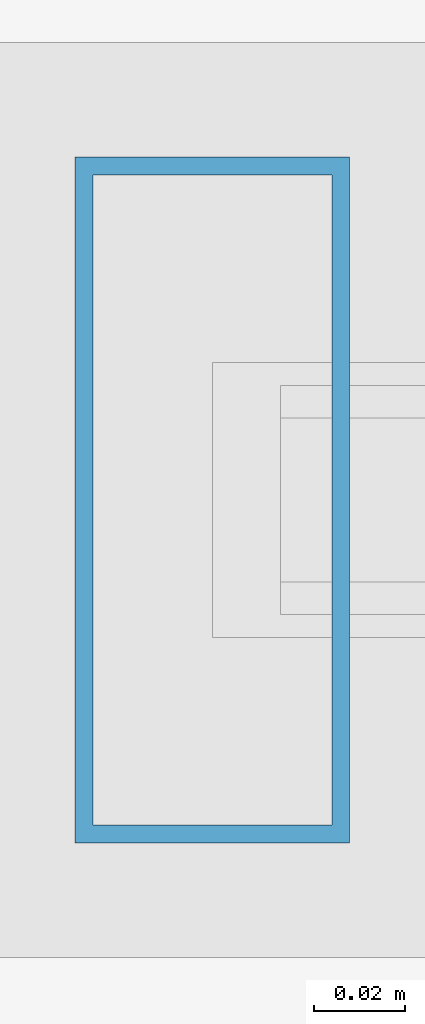
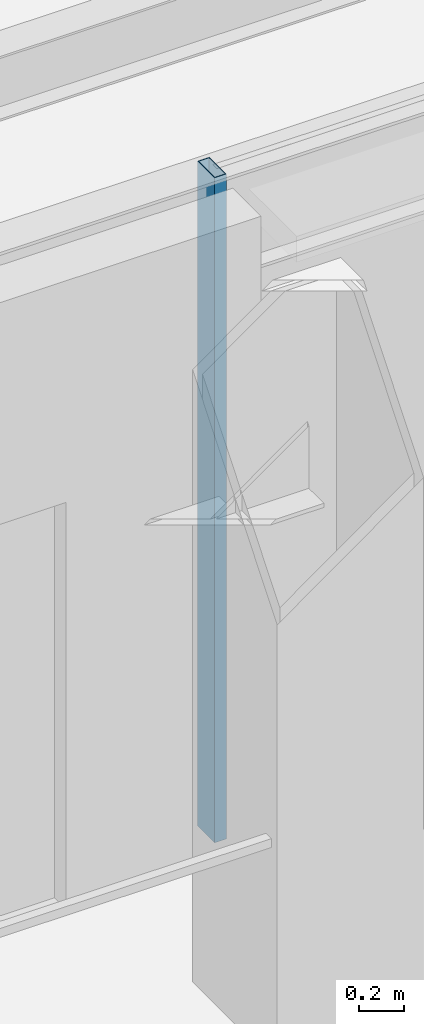
# One storey, part 5 of 26: 1 member, 1 element without a shape of its own.
"""IFC4 building model written with IfcOpenShell, lengths in metres."""

import ifcopenshell
import ifcopenshell.guid

model = None  # the IFC model being written
_history = None  # IfcOwnerHistory: only IFC2X3 demands one
_inside = {}  # id of a spatial element -> (the spatial element, [elements in it])
_under = {}  # id of a project, library or spatial element -> (it, [spatial elements below it])
_declared = {}  # id of a project -> (the project, [libraries it declares])
_typed = {}  # id of a type object -> (the type object, [elements of that type])
_made_of = {}  # id of a material, layer set ... -> (it, [elements and type objects made of it])


def new_model(schema):
    """Start an empty IFC model of exactly this schema.

    Asked for "IFC4X3", IfcOpenShell would pick the latest addendum, in which some entities
    have other attributes; the version numbers below select the first issue.
    IFC2X3 requires an IfcOwnerHistory on every rooted entity: one is made here for all.
    """
    global model, _history
    if schema == "IFC4X3":
        model = ifcopenshell.file(schema_version=(4, 3, 0, 0))
    else:
        model = ifcopenshell.file(schema=schema)
    _inside.clear()
    _under.clear()
    _declared.clear()
    _typed.clear()
    _made_of.clear()
    _history = None
    if model.schema == "IFC2X3":
        org = make("IfcOrganization", Name="unknown")
        user = make(
            "IfcPersonAndOrganization",
            ThePerson=make("IfcPerson", FamilyName="unknown"),
            TheOrganization=org,
        )
        app = make(
            "IfcApplication",
            ApplicationDeveloper=org,
            Version="unknown",
            ApplicationFullName="unknown",
            ApplicationIdentifier="unknown",
        )
        _history = make(
            "IfcOwnerHistory",
            OwningUser=user,
            OwningApplication=app,
            ChangeAction="ADDED",
            CreationDate=0,
        )
    return model


def make(cls, **values):
    """One entity of the class cls with the attributes given. An attribute that is None is left unset."""
    return model.create_entity(
        cls, **{name: value for name, value in values.items() if value is not None}
    )


def rooted(cls, **values):
    """An entity with a GlobalId (a new one), such as an element, a storey or a relation."""
    return make(cls, GlobalId=ifcopenshell.guid.new(), OwnerHistory=_history, **values)


def si_unit(unit_type, name, prefix=None):
    """IfcSIUnit, for example si_unit("LENGTHUNIT", "METRE", prefix="MILLI")."""
    return make("IfcSIUnit", UnitType=unit_type, Prefix=prefix, Name=name)


def assignment(units):
    """IfcUnitAssignment: the units of a project."""
    return None if units is None else make("IfcUnitAssignment", Units=units)


def point(xyz):
    """IfcCartesianPoint."""
    return None if xyz is None else make("IfcCartesianPoint", Coordinates=xyz)


def direction(xyz):
    """IfcDirection."""
    return None if xyz is None else make("IfcDirection", DirectionRatios=xyz)


def frame(location, z_axis=None, x_axis=None):
    """IfcAxis2Placement3D, a coordinate frame: its origin and axes. An axis left out is left unset."""
    return make(
        "IfcAxis2Placement3D",
        Location=point(location),
        Axis=direction(z_axis),
        RefDirection=direction(x_axis),
    )


def frame_2d(location, x_axis=None):
    """IfcAxis2Placement2D, a coordinate frame in the plane: its origin and x axis."""
    return make(
        "IfcAxis2Placement2D", Location=point(location), RefDirection=direction(x_axis)
    )


def origin():
    """The frame at (0, 0, 0) with its axes left unset."""
    return frame((0.0, 0.0, 0.0))


def origin_2d():
    """The frame at (0, 0) in the plane with its x axis left unset."""
    return frame_2d((0.0, 0.0))


def place(relative_to, where):
    """IfcLocalPlacement: puts the frame where relative to a parent placement (None: the world)."""
    return make(
        "IfcLocalPlacement", PlacementRelTo=relative_to, RelativePlacement=where
    )


def context(
    kind, dimensions, precision=None, world=None, true_north=None, identifier=None
):
    """IfcGeometricRepresentationContext, for example the 3D "Model" context."""
    return make(
        "IfcGeometricRepresentationContext",
        ContextIdentifier=identifier,
        ContextType=kind,
        CoordinateSpaceDimension=dimensions,
        Precision=precision,
        WorldCoordinateSystem=world,
        TrueNorth=true_north,
    )


def subcontext(parent, identifier, kind, view, scale=None):
    """IfcGeometricRepresentationSubContext, for example "Body" below "Model"."""
    return make(
        "IfcGeometricRepresentationSubContext",
        ContextIdentifier=identifier,
        ContextType=kind,
        ParentContext=parent,
        TargetScale=scale,
        TargetView=view,
    )


def project(units=None, contexts=None):
    """IfcProject with its units and contexts."""
    return rooted(
        "IfcProject",
        Name="project",
        RepresentationContexts=contexts,
        UnitsInContext=assignment(units),
    )


def spatial(cls, under=None, at=None, **own):
    """A site, building, storey or space (cls), placed at a placement, below another one or the project."""
    s = rooted(cls, ObjectPlacement=at, **own)
    if under is not None:
        _under.setdefault(under.id(), (under, []))[1].append(s)
    return s


def profile(cls, at=None, kind="AREA", **sizes):
    """A parametric profile (cls). Its sizes go by their IFC names, for example OverallWidth=200.0."""
    return make(cls, ProfileType=kind, Position=at, **sizes)


def hollow_rectangle(**sizes):
    """IfcRectangleHollowProfileDef."""
    return profile("IfcRectangleHollowProfileDef", **sizes)


def extrude(swept, where, along, depth):
    """IfcExtrudedAreaSolid: the profile swept, set in the frame where, extruded along a direction by depth."""
    return make(
        "IfcExtrudedAreaSolid",
        SweptArea=swept,
        Position=where,
        ExtrudedDirection=direction(along),
        Depth=depth,
    )


def shape(context_of_items, identifier, shape_type, items):
    """IfcShapeRepresentation: the items that make up one representation, for example the "Body"."""
    return make(
        "IfcShapeRepresentation",
        ContextOfItems=context_of_items,
        RepresentationIdentifier=identifier,
        RepresentationType=shape_type,
        Items=items,
    )


def material(Name=None, Category=None):
    """IfcMaterial."""
    return make("IfcMaterial", Name=Name, Category=Category)


def layer(
    of_material, thickness, ventilated=None, Name=None, Category=None, Priority=None
):
    """IfcMaterialLayer: one layer of a wall or slab, of a material (None: an air gap)."""
    return make(
        "IfcMaterialLayer",
        Material=of_material,
        LayerThickness=thickness,
        IsVentilated=ventilated,
        Name=Name,
        Category=Category,
        Priority=Priority,
    )


def layer_set(layers, Name=None):
    """IfcMaterialLayerSet."""
    return make("IfcMaterialLayerSet", MaterialLayers=layers, LayerSetName=Name)


def material_profile(
    of_material, cross_section, Name=None, Category=None, Priority=None
):
    """IfcMaterialProfile: a cross section and its material."""
    return make(
        "IfcMaterialProfile",
        Name=Name,
        Material=of_material,
        Profile=cross_section,
        Priority=Priority,
        Category=Category,
    )


def profile_set(profiles, Name=None, composite=None):
    """IfcMaterialProfileSet."""
    return make(
        "IfcMaterialProfileSet",
        Name=Name,
        MaterialProfiles=profiles,
        CompositeProfile=composite,
    )


def made_of(thing, what):
    """Note that an element or type object is made of a material, layer set ...; save() writes the relation."""
    if what is not None:
        _made_of.setdefault(what.id(), (what, []))[1].append(thing)
    return thing


def type_object(cls, material=None, **own):
    """A type object (cls), such as IfcWallType, which elements share."""
    return made_of(rooted(cls, **own), material)


def element(
    cls,
    number,
    at=None,
    inside=None,
    cuts=None,
    type_object=None,
    material=None,
    context=None,
    identifier="Body",
    shape_type=None,
    held_by="IfcProductDefinitionShape",
    body=None,
    shapes=None,
    **own,
):
    """One element of the class cls, such as IfcWall. Its Tag is "e" and its number.

    at: its placement. inside: the storey or other place that contains it. cuts: it is an
    opening in that element (IfcRelVoidsElement). A single representation is given by context,
    identifier, shape_type and body (its items); several are given by shapes. held_by: the class
    of the entity that holds the representations. save() writes the other relations.
    """
    e = rooted(cls, Tag="e%d" % number, ObjectPlacement=at, **own)
    if body is not None:
        shapes = [shape(context, identifier, shape_type, body)]
    if shapes is not None:
        e.Representation = make(held_by, Representations=shapes)
    if inside is not None:
        _inside.setdefault(inside.id(), (inside, []))[1].append(e)
    if cuts is not None:
        rooted(
            "IfcRelVoidsElement", RelatingBuildingElement=cuts, RelatedOpeningElement=e
        )
    if type_object is not None:
        _typed.setdefault(type_object.id(), (type_object, []))[1].append(e)
    return made_of(e, material)


def aggregate(whole, parts):
    """IfcRelAggregates: a whole, such as a stair, and the parts it consists of."""
    return rooted("IfcRelAggregates", RelatingObject=whole, RelatedObjects=parts)


def save(model, path):
    """Write the relations noted so far, then the file.

    IfcRelAggregates (storeys below a building ...), IfcRelContainedInSpatialStructure (elements
    in a storey), IfcRelDefinesByType, IfcRelAssociatesMaterial and IfcRelDeclares: one each for
    every whole, place, type object, material and project.
    """
    for whole, parts in _under.values():
        aggregate(whole, parts)
    for where, things in _inside.values():
        rooted(
            "IfcRelContainedInSpatialStructure",
            RelatedElements=things,
            RelatingStructure=where,
        )
    for kind, things in _typed.values():
        rooted("IfcRelDefinesByType", RelatedObjects=things, RelatingType=kind)
    for what, things in _made_of.values():
        rooted("IfcRelAssociatesMaterial", RelatedObjects=things, RelatingMaterial=what)
    for by, libraries in _declared.values():
        rooted("IfcRelDeclares", RelatingContext=by, RelatedDefinitions=libraries)
    model.write(path)


model = new_model("IFC4")

# Units and contexts
model_context = context("Model", 3, precision=1e-05, world=origin(), true_north=direction((0.0, 1.0)))
body_context = subcontext(model_context, "Body", "Model", "MODEL_VIEW")
ifc_project = project(units=[si_unit("LENGTHUNIT", "METRE"), si_unit("AREAUNIT", "SQUARE_METRE"), si_unit("VOLUMEUNIT", "CUBIC_METRE"), si_unit("PLANEANGLEUNIT", "RADIAN"), si_unit("MASSUNIT", "GRAM", prefix="KILO")], contexts=[model_context])

# Site, building, storey
site_placement = place(None, origin())
site = spatial("IfcSite", under=ifc_project, at=site_placement, CompositionType="ELEMENT")
building_placement = place(site_placement, origin())
building = spatial("IfcBuilding", under=site, at=building_placement, Name="Brelmoor Portico Tower", CompositionType="ELEMENT")
storey_placement = place(building_placement, frame((0.0, 0.0, 247.199951171875)))
storey = spatial("IfcBuildingStorey", under=building, at=storey_placement, Name="L65", CompositionType="ELEMENT", Elevation=247.199951171875)

# Curtain wall, member
ifc_material = material(Name="Anodised Aluminium Alloy 6063-T6", Category="aluminium")
ifc_layer = layer(ifc_material, 0.179931640625)
ifc_layer_set = layer_set([ifc_layer], Name="Anodised Aluminium Alloy 6063-T6")
curtain_wall_type = type_object("IfcCurtainWallType", Name="CW-TOWER-Z4", PredefinedType="NOTDEFINED", material=ifc_layer_set)
curtain_wall_placement = place(storey_placement, origin())
curtain_wall = element("IfcCurtainWall", 1, at=curtain_wall_placement, inside=storey, type_object=curtain_wall_type, Name="L65 Curtain Wall CW-L65-1R-1", PredefinedType="NOTDEFINED")
ifc_material_profile = material_profile(ifc_material, hollow_rectangle(XDim=0.06005859375, YDim=0.14990234375, WallThickness=0.00390625, at=origin_2d()), Name="ALU MULLION 60x150")
ifc_profile_set = profile_set([ifc_material_profile], Name="Anodised Aluminium Alloy 6063-T6")
member_type = type_object("IfcMemberType", Name="MB-CW-MULL-150", PredefinedType="MULLION", material=ifc_profile_set)
member_placement = place(storey_placement, frame((-2.0, -17.550048828125, -0.199951171875), z_axis=(0.0, 0.0, 1.0), x_axis=(1.0, 0.0, 0.0)))
member = element("IfcMember", 2, at=member_placement, type_object=member_type, Name="CW-L65-1R-1 Mullion 00", PredefinedType="MULLION", context=body_context, shape_type="SweptSolid", body=[
    extrude(hollow_rectangle(XDim=0.06005859375, YDim=0.14990234375, WallThickness=0.00390625, at=origin_2d()), origin(), (0.0, 0.0, 1.0), 3.60009765625),
])
aggregate(curtain_wall, [member])

save(model, "model.ifc")
